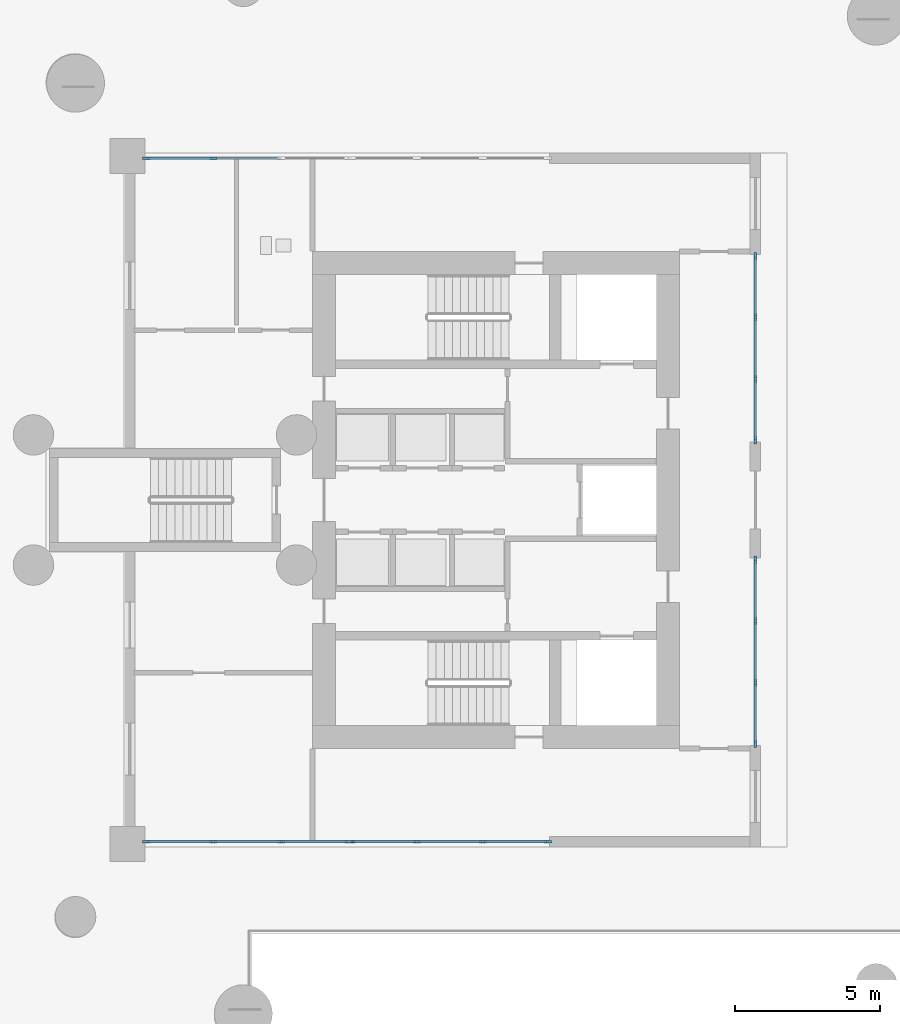
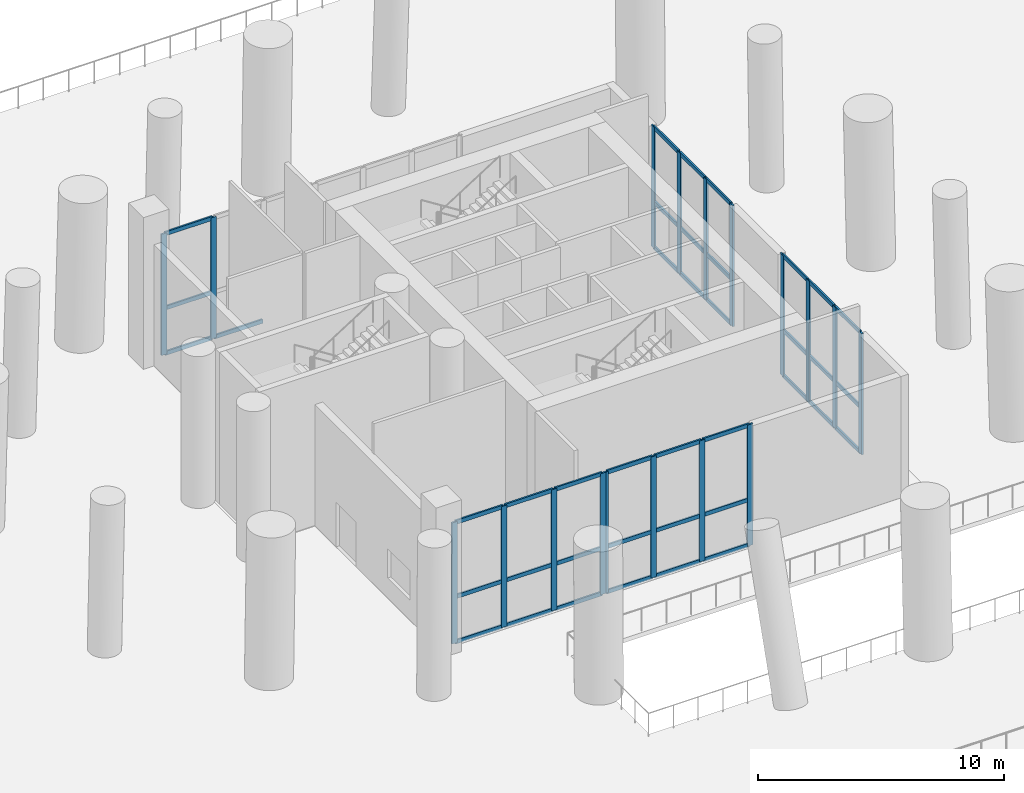
# One storey, part 3 of 16: 58 members, 5 elements without a shape of their own.
"""IFC4 building model written with IfcOpenShell, lengths in metres."""

from ifc_helpers import new_model, si_unit, direction, frame, origin, origin_2d, place, context, subcontext, project, spatial, rectangle, extrude, source, transform, mapped, material, layer, layer_set, material_profile, profile_set, type_object, element, aggregate, save


model = new_model("IFC4")

# Units and contexts
model_context = context("Model", 3, precision=1e-05, world=origin(), true_north=direction((0.0, 1.0)))
body_context = subcontext(model_context, "Body", "Model", "MODEL_VIEW")
ifc_project = project(units=[si_unit("LENGTHUNIT", "METRE"), si_unit("AREAUNIT", "SQUARE_METRE"), si_unit("VOLUMEUNIT", "CUBIC_METRE"), si_unit("PLANEANGLEUNIT", "RADIAN"), si_unit("MASSUNIT", "GRAM", prefix="KILO")], contexts=[model_context])

# Site, building, storey
site_placement = place(None, origin())
site = spatial("IfcSite", under=ifc_project, at=site_placement, CompositionType="ELEMENT")
building_placement = place(site_placement, origin())
building = spatial("IfcBuilding", under=site, at=building_placement, Name="Qafzar Sky-Pleat Residences", CompositionType="ELEMENT")
storey_placement = place(building_placement, origin())
storey = spatial("IfcBuildingStorey", under=building, at=storey_placement, Name="L00", CompositionType="ELEMENT", Elevation=0.0)

# Curtain wall, members
ifc_material_1 = material(Name="Anodised bronze aluminium framing", Category="aluminium")
ifc_layer = layer(ifc_material_1, 0.260009765625)
ifc_layer_set = layer_set([ifc_layer], Name="Anodised bronze aluminium framing")
curtain_wall_type = type_object("IfcCurtainWallType", Name="CW-SYS-01", PredefinedType="NOTDEFINED", material=ifc_layer_set)
curtain_wall_1_placement = place(storey_placement, origin())
curtain_wall_1 = element("IfcCurtainWall", 1, at=curtain_wall_1_placement, inside=storey, type_object=curtain_wall_type, Name="L00 CW-01 Curtain Wall CW-L00-01", PredefinedType="NOTDEFINED")
ifc_material_2 = material(Name="Anodised bronze aluminium", Category="aluminium")
ifc_material_profile_1 = material_profile(ifc_material_2, rectangle(XDim=0.080078125, YDim=0.260009765625, at=origin_2d()), Name="ALU MULLION 80x260")
ifc_profile_set_1 = profile_set([ifc_material_profile_1], Name="Anodised bronze aluminium")
member_type_1 = type_object("IfcMemberType", Name="CWM-01", PredefinedType="MULLION", material=ifc_profile_set_1)
shared_shape_1 = source(origin(), body_context, "Body", "SweptSolid", [
    extrude(rectangle(XDim=0.080078125, YDim=0.260009765625, at=origin_2d()), origin(), (0.0, 0.0, 1.0), 6.02001953125),
])
member_1_placement = place(storey_placement, frame((39.320068359375, 34.43994140625, 0.0), z_axis=(0.0, 0.0, 1.0), x_axis=(1.0, 0.0, 0.0)))
member_1 = element("IfcMember", 2, at=member_1_placement, type_object=member_type_1, Name="CW-01 mullion 1", PredefinedType="MULLION", context=body_context, shape_type="MappedRepresentation", body=[
    mapped(shared_shape_1, transform((0.0, 0.0, 0.0), x_axis=(1.0, 0.0, 0.0), y_axis=(0.0, 1.0, 0.0), z_axis=(0.0, 0.0, 1.0), scale=1.0)),
])
member_2_placement = place(storey_placement, frame((39.320068359375, 32.32666015625, 0.0), z_axis=(0.0, 0.0, 1.0), x_axis=(1.0, 0.0, 0.0)))
member_2 = element("IfcMember", 3, at=member_2_placement, type_object=member_type_1, Name="CW-01 mullion 2", PredefinedType="MULLION", context=body_context, shape_type="MappedRepresentation", body=[
    mapped(shared_shape_1, transform((0.0, 0.0, 0.0), x_axis=(1.0, 0.0, 0.0), y_axis=(0.0, 1.0, 0.0), z_axis=(0.0, 0.0, 1.0), scale=1.0)),
])
member_3_placement = place(storey_placement, frame((39.320068359375, 30.17333984375, 0.0), z_axis=(0.0, 0.0, 1.0), x_axis=(1.0, 0.0, 0.0)))
member_3 = element("IfcMember", 4, at=member_3_placement, type_object=member_type_1, Name="CW-01 mullion 3", PredefinedType="MULLION", context=body_context, shape_type="MappedRepresentation", body=[
    mapped(shared_shape_1, transform((0.0, 0.0, 0.0), x_axis=(1.0, 0.0, 0.0), y_axis=(0.0, 1.0, 0.0), z_axis=(0.0, 0.0, 1.0), scale=1.0)),
])
member_4_placement = place(storey_placement, frame((39.320068359375, 28.06005859375, 0.0), z_axis=(0.0, 0.0, 1.0), x_axis=(1.0, 0.0, 0.0)))
member_4 = element("IfcMember", 5, at=member_4_placement, type_object=member_type_1, Name="CW-01 mullion 4", PredefinedType="MULLION", context=body_context, shape_type="MappedRepresentation", body=[
    mapped(shared_shape_1, transform((0.0, 0.0, 0.0), x_axis=(1.0, 0.0, 0.0), y_axis=(0.0, 1.0, 0.0), z_axis=(0.0, 0.0, 1.0), scale=1.0)),
])

curtain_wall_2_placement = place(storey_placement, origin())
curtain_wall_2 = element("IfcCurtainWall", 6, at=curtain_wall_2_placement, inside=storey, type_object=curtain_wall_type, Name="L00 CW-01 Curtain Wall CW-L00-02", PredefinedType="NOTDEFINED")
member_5_placement = place(storey_placement, frame((39.320068359375, 23.93994140625, 0.0), z_axis=(0.0, 0.0, 1.0), x_axis=(1.0, 0.0, 0.0)))
member_5 = element("IfcMember", 7, at=member_5_placement, type_object=member_type_1, Name="CW-01 mullion 1", PredefinedType="MULLION", context=body_context, shape_type="MappedRepresentation", body=[
    mapped(shared_shape_1, transform((0.0, 0.0, 0.0), x_axis=(1.0, 0.0, 0.0), y_axis=(0.0, 1.0, 0.0), z_axis=(0.0, 0.0, 1.0), scale=1.0)),
])
member_6_placement = place(storey_placement, frame((39.320068359375, 21.82666015625, 0.0), z_axis=(0.0, 0.0, 1.0), x_axis=(1.0, 0.0, 0.0)))
member_6 = element("IfcMember", 8, at=member_6_placement, type_object=member_type_1, Name="CW-01 mullion 2", PredefinedType="MULLION", context=body_context, shape_type="MappedRepresentation", body=[
    mapped(shared_shape_1, transform((0.0, 0.0, 0.0), x_axis=(1.0, 0.0, 0.0), y_axis=(0.0, 1.0, 0.0), z_axis=(0.0, 0.0, 1.0), scale=1.0)),
])
member_7_placement = place(storey_placement, frame((39.320068359375, 19.67333984375, 0.0), z_axis=(0.0, 0.0, 1.0), x_axis=(1.0, 0.0, 0.0)))
member_7 = element("IfcMember", 9, at=member_7_placement, type_object=member_type_1, Name="CW-01 mullion 3", PredefinedType="MULLION", context=body_context, shape_type="MappedRepresentation", body=[
    mapped(shared_shape_1, transform((0.0, 0.0, 0.0), x_axis=(1.0, 0.0, 0.0), y_axis=(0.0, 1.0, 0.0), z_axis=(0.0, 0.0, 1.0), scale=1.0)),
])
member_8_placement = place(storey_placement, frame((39.320068359375, 17.56005859375, 0.0), z_axis=(0.0, 0.0, 1.0), x_axis=(1.0, 0.0, 0.0)))
member_8 = element("IfcMember", 10, at=member_8_placement, type_object=member_type_1, Name="CW-01 mullion 4", PredefinedType="MULLION", context=body_context, shape_type="MappedRepresentation", body=[
    mapped(shared_shape_1, transform((0.0, 0.0, 0.0), x_axis=(1.0, 0.0, 0.0), y_axis=(0.0, 1.0, 0.0), z_axis=(0.0, 0.0, 1.0), scale=1.0)),
])

curtain_wall_3_placement = place(storey_placement, origin())
curtain_wall_3 = element("IfcCurtainWall", 11, at=curtain_wall_3_placement, inside=storey, type_object=curtain_wall_type, Name="L00 CW-01 Curtain Wall CW-L00-03", PredefinedType="NOTDEFINED")
member_9_placement = place(storey_placement, frame((18.260009765625, 37.820068359375, 0.0), z_axis=(0.0, 0.0, 1.0), x_axis=(0.0, 1.0, 0.0)))
member_9 = element("IfcMember", 12, at=member_9_placement, type_object=member_type_1, Name="CW-01 mullion 1", PredefinedType="MULLION", context=body_context, shape_type="MappedRepresentation", body=[
    mapped(shared_shape_1, transform((0.0, 0.0, 0.0), x_axis=(1.0, 0.0, 0.0), y_axis=(0.0, 1.0, 0.0), z_axis=(0.0, 0.0, 1.0), scale=1.0)),
])
member_10_placement = place(storey_placement, frame((20.5732421875, 37.820068359375, 0.0), z_axis=(0.0, 0.0, 1.0), x_axis=(0.0, 1.0, 0.0)))
member_10 = element("IfcMember", 13, at=member_10_placement, type_object=member_type_1, Name="CW-01 mullion 2", PredefinedType="MULLION", context=body_context, shape_type="MappedRepresentation", body=[
    mapped(shared_shape_1, transform((0.0, 0.0, 0.0), x_axis=(1.0, 0.0, 0.0), y_axis=(0.0, 1.0, 0.0), z_axis=(0.0, 0.0, 1.0), scale=1.0)),
])

curtain_wall_4_placement = place(storey_placement, origin())
curtain_wall_4 = element("IfcCurtainWall", 14, at=curtain_wall_4_placement, inside=storey, type_object=curtain_wall_type, Name="L00 CW-01 Curtain Wall CW-L00-05", PredefinedType="NOTDEFINED")
member_11_placement = place(storey_placement, frame((25.239990234375, 14.179931640625, 0.0), z_axis=(0.0, 0.0, 1.0), x_axis=(0.0, -1.0, 0.0)))
member_11 = element("IfcMember", 15, at=member_11_placement, type_object=member_type_1, Name="CW-01 mullion 1", PredefinedType="MULLION", context=body_context, shape_type="MappedRepresentation", body=[
    mapped(shared_shape_1, transform((0.0, 0.0, 0.0), x_axis=(1.0, 0.0, 0.0), y_axis=(0.0, 1.0, 0.0), z_axis=(0.0, 0.0, 1.0), scale=1.0)),
])
member_12_placement = place(storey_placement, frame((22.9267578125, 14.179931640625, 0.0), z_axis=(0.0, 0.0, 1.0), x_axis=(0.0, -1.0, 0.0)))
member_12 = element("IfcMember", 16, at=member_12_placement, type_object=member_type_1, Name="CW-01 mullion 2", PredefinedType="MULLION", context=body_context, shape_type="MappedRepresentation", body=[
    mapped(shared_shape_1, transform((0.0, 0.0, 0.0), x_axis=(1.0, 0.0, 0.0), y_axis=(0.0, 1.0, 0.0), z_axis=(0.0, 0.0, 1.0), scale=1.0)),
])
member_13_placement = place(storey_placement, frame((20.5732421875, 14.179931640625, 0.0), z_axis=(0.0, 0.0, 1.0), x_axis=(0.0, -1.0, 0.0)))
member_13 = element("IfcMember", 17, at=member_13_placement, type_object=member_type_1, Name="CW-01 mullion 3", PredefinedType="MULLION", context=body_context, shape_type="MappedRepresentation", body=[
    mapped(shared_shape_1, transform((0.0, 0.0, 0.0), x_axis=(1.0, 0.0, 0.0), y_axis=(0.0, 1.0, 0.0), z_axis=(0.0, 0.0, 1.0), scale=1.0)),
])
member_14_placement = place(storey_placement, frame((18.260009765625, 14.179931640625, 0.0), z_axis=(0.0, 0.0, 1.0), x_axis=(0.0, -1.0, 0.0)))
member_14 = element("IfcMember", 18, at=member_14_placement, type_object=member_type_1, Name="CW-01 mullion 4", PredefinedType="MULLION", context=body_context, shape_type="MappedRepresentation", body=[
    mapped(shared_shape_1, transform((0.0, 0.0, 0.0), x_axis=(1.0, 0.0, 0.0), y_axis=(0.0, 1.0, 0.0), z_axis=(0.0, 0.0, 1.0), scale=1.0)),
])

curtain_wall_5_placement = place(storey_placement, origin())
curtain_wall_5 = element("IfcCurtainWall", 19, at=curtain_wall_5_placement, inside=storey, type_object=curtain_wall_type, Name="L00 CW-01 Curtain Wall CW-L00-06", PredefinedType="NOTDEFINED")
member_15_placement = place(storey_placement, frame((32.139892578125, 14.179931640625, 0.0), z_axis=(0.0, 0.0, 1.0), x_axis=(0.0, -1.0, 0.0)))
member_15 = element("IfcMember", 20, at=member_15_placement, type_object=member_type_1, Name="CW-01 mullion 1", PredefinedType="MULLION", context=body_context, shape_type="MappedRepresentation", body=[
    mapped(shared_shape_1, transform((0.0, 0.0, 0.0), x_axis=(1.0, 0.0, 0.0), y_axis=(0.0, 1.0, 0.0), z_axis=(0.0, 0.0, 1.0), scale=1.0)),
])
member_16_placement = place(storey_placement, frame((29.893310546875, 14.179931640625, 0.0), z_axis=(0.0, 0.0, 1.0), x_axis=(0.0, -1.0, 0.0)))
member_16 = element("IfcMember", 21, at=member_16_placement, type_object=member_type_1, Name="CW-01 mullion 2", PredefinedType="MULLION", context=body_context, shape_type="MappedRepresentation", body=[
    mapped(shared_shape_1, transform((0.0, 0.0, 0.0), x_axis=(1.0, 0.0, 0.0), y_axis=(0.0, 1.0, 0.0), z_axis=(0.0, 0.0, 1.0), scale=1.0)),
])
member_17_placement = place(storey_placement, frame((27.606689453125, 14.179931640625, 0.0), z_axis=(0.0, 0.0, 1.0), x_axis=(0.0, -1.0, 0.0)))
member_17 = element("IfcMember", 22, at=member_17_placement, type_object=member_type_1, Name="CW-01 mullion 3", PredefinedType="MULLION", context=body_context, shape_type="MappedRepresentation", body=[
    mapped(shared_shape_1, transform((0.0, 0.0, 0.0), x_axis=(1.0, 0.0, 0.0), y_axis=(0.0, 1.0, 0.0), z_axis=(0.0, 0.0, 1.0), scale=1.0)),
])
member_18_placement = place(storey_placement, frame((25.360107421875, 14.179931640625, 0.0), z_axis=(0.0, 0.0, 1.0), x_axis=(0.0, -1.0, 0.0)))
member_18 = element("IfcMember", 23, at=member_18_placement, type_object=member_type_1, Name="CW-01 mullion 4", PredefinedType="MULLION", context=body_context, shape_type="MappedRepresentation", body=[
    mapped(shared_shape_1, transform((0.0, 0.0, 0.0), x_axis=(1.0, 0.0, 0.0), y_axis=(0.0, 1.0, 0.0), z_axis=(0.0, 0.0, 1.0), scale=1.0)),
])

# Member
ifc_material_profile_2 = material_profile(ifc_material_2, rectangle(XDim=0.080078125, YDim=0.195068359375, at=origin_2d()), Name="ALU TRANSOM 80x195")
ifc_profile_set_2 = profile_set([ifc_material_profile_2], Name="Anodised bronze aluminium")
member_type_2 = type_object("IfcMemberType", Name="CWT-01", PredefinedType="USERDEFINED", material=ifc_profile_set_2)
shared_shape_2 = source(origin(), body_context, "Body", "SweptSolid", [
    extrude(rectangle(XDim=0.080078125, YDim=0.195068359375, at=origin_2d()), origin(), (0.0, 0.0, 1.0), 2.033203125),
])
member_19_placement = place(storey_placement, frame((39.320068359375, 34.39990234375, 0.0400390625), z_axis=(0.0, -1.0, 0.0), x_axis=(1.0, 0.0, 0.0)))
member_19 = element("IfcMember", 24, at=member_19_placement, type_object=member_type_2, Name="CW-01 transom 1.1", ObjectType="TRANSOM", PredefinedType="USERDEFINED", context=body_context, shape_type="MappedRepresentation", body=[
    mapped(shared_shape_2, transform((0.0, 0.0, 0.0), x_axis=(1.0, 0.0, 0.0), y_axis=(0.0, 1.0, 0.0), z_axis=(0.0, 0.0, 1.0), scale=1.0)),
])

member_20_placement = place(storey_placement, frame((39.320068359375, 34.39990234375, 2.28759765625), z_axis=(0.0, -1.0, 0.0), x_axis=(1.0, 0.0, 0.0)))
member_20 = element("IfcMember", 25, at=member_20_placement, type_object=member_type_2, Name="CW-01 transom 1.2", ObjectType="TRANSOM", PredefinedType="USERDEFINED", context=body_context, shape_type="MappedRepresentation", body=[
    mapped(shared_shape_2, transform((0.0, 0.0, 0.0), x_axis=(1.0, 0.0, 0.0), y_axis=(0.0, 1.0, 0.0), z_axis=(0.0, 0.0, 1.0), scale=1.0)),
])

member_21_placement = place(storey_placement, frame((39.320068359375, 34.39990234375, 5.97998046875), z_axis=(0.0, -1.0, 0.0), x_axis=(1.0, 0.0, 0.0)))
member_21 = element("IfcMember", 26, at=member_21_placement, type_object=member_type_2, Name="CW-01 transom 1.3", ObjectType="TRANSOM", PredefinedType="USERDEFINED", context=body_context, shape_type="MappedRepresentation", body=[
    mapped(shared_shape_2, transform((0.0, 0.0, 0.0), x_axis=(1.0, 0.0, 0.0), y_axis=(0.0, 1.0, 0.0), z_axis=(0.0, 0.0, 1.0), scale=1.0)),
])

member_22_placement = place(storey_placement, frame((39.320068359375, 30.13330078125, 0.0400390625), z_axis=(0.0, -1.0, 0.0), x_axis=(1.0, 0.0, 0.0)))
member_22 = element("IfcMember", 27, at=member_22_placement, type_object=member_type_2, Name="CW-01 transom 3.1", ObjectType="TRANSOM", PredefinedType="USERDEFINED", context=body_context, shape_type="MappedRepresentation", body=[
    mapped(shared_shape_2, transform((0.0, 0.0, 0.0), x_axis=(1.0, 0.0, 0.0), y_axis=(0.0, 1.0, 0.0), z_axis=(0.0, 0.0, 1.0), scale=1.0)),
])

member_23_placement = place(storey_placement, frame((39.320068359375, 30.13330078125, 2.28759765625), z_axis=(0.0, -1.0, 0.0), x_axis=(1.0, 0.0, 0.0)))
member_23 = element("IfcMember", 28, at=member_23_placement, type_object=member_type_2, Name="CW-01 transom 3.2", ObjectType="TRANSOM", PredefinedType="USERDEFINED", context=body_context, shape_type="MappedRepresentation", body=[
    mapped(shared_shape_2, transform((0.0, 0.0, 0.0), x_axis=(1.0, 0.0, 0.0), y_axis=(0.0, 1.0, 0.0), z_axis=(0.0, 0.0, 1.0), scale=1.0)),
])

member_24_placement = place(storey_placement, frame((39.320068359375, 30.13330078125, 5.97998046875), z_axis=(0.0, -1.0, 0.0), x_axis=(1.0, 0.0, 0.0)))
member_24 = element("IfcMember", 29, at=member_24_placement, type_object=member_type_2, Name="CW-01 transom 3.3", ObjectType="TRANSOM", PredefinedType="USERDEFINED", context=body_context, shape_type="MappedRepresentation", body=[
    mapped(shared_shape_2, transform((0.0, 0.0, 0.0), x_axis=(1.0, 0.0, 0.0), y_axis=(0.0, 1.0, 0.0), z_axis=(0.0, 0.0, 1.0), scale=1.0)),
])

member_25_placement = place(storey_placement, frame((39.320068359375, 23.89990234375, 0.0400390625), z_axis=(0.0, -1.0, 0.0), x_axis=(1.0, 0.0, 0.0)))
member_25 = element("IfcMember", 30, at=member_25_placement, type_object=member_type_2, Name="CW-01 transom 1.1", ObjectType="TRANSOM", PredefinedType="USERDEFINED", context=body_context, shape_type="MappedRepresentation", body=[
    mapped(shared_shape_2, transform((0.0, 0.0, 0.0), x_axis=(1.0, 0.0, 0.0), y_axis=(0.0, 1.0, 0.0), z_axis=(0.0, 0.0, 1.0), scale=1.0)),
])

member_26_placement = place(storey_placement, frame((39.320068359375, 23.89990234375, 2.28759765625), z_axis=(0.0, -1.0, 0.0), x_axis=(1.0, 0.0, 0.0)))
member_26 = element("IfcMember", 31, at=member_26_placement, type_object=member_type_2, Name="CW-01 transom 1.2", ObjectType="TRANSOM", PredefinedType="USERDEFINED", context=body_context, shape_type="MappedRepresentation", body=[
    mapped(shared_shape_2, transform((0.0, 0.0, 0.0), x_axis=(1.0, 0.0, 0.0), y_axis=(0.0, 1.0, 0.0), z_axis=(0.0, 0.0, 1.0), scale=1.0)),
])

member_27_placement = place(storey_placement, frame((39.320068359375, 23.89990234375, 5.97998046875), z_axis=(0.0, -1.0, 0.0), x_axis=(1.0, 0.0, 0.0)))
member_27 = element("IfcMember", 32, at=member_27_placement, type_object=member_type_2, Name="CW-01 transom 1.3", ObjectType="TRANSOM", PredefinedType="USERDEFINED", context=body_context, shape_type="MappedRepresentation", body=[
    mapped(shared_shape_2, transform((0.0, 0.0, 0.0), x_axis=(1.0, 0.0, 0.0), y_axis=(0.0, 1.0, 0.0), z_axis=(0.0, 0.0, 1.0), scale=1.0)),
])

member_28_placement = place(storey_placement, frame((39.320068359375, 19.63330078125, 0.0400390625), z_axis=(0.0, -1.0, 0.0), x_axis=(1.0, 0.0, 0.0)))
member_28 = element("IfcMember", 33, at=member_28_placement, type_object=member_type_2, Name="CW-01 transom 3.1", ObjectType="TRANSOM", PredefinedType="USERDEFINED", context=body_context, shape_type="MappedRepresentation", body=[
    mapped(shared_shape_2, transform((0.0, 0.0, 0.0), x_axis=(1.0, 0.0, 0.0), y_axis=(0.0, 1.0, 0.0), z_axis=(0.0, 0.0, 1.0), scale=1.0)),
])

member_29_placement = place(storey_placement, frame((39.320068359375, 19.63330078125, 2.28759765625), z_axis=(0.0, -1.0, 0.0), x_axis=(1.0, 0.0, 0.0)))
member_29 = element("IfcMember", 34, at=member_29_placement, type_object=member_type_2, Name="CW-01 transom 3.2", ObjectType="TRANSOM", PredefinedType="USERDEFINED", context=body_context, shape_type="MappedRepresentation", body=[
    mapped(shared_shape_2, transform((0.0, 0.0, 0.0), x_axis=(1.0, 0.0, 0.0), y_axis=(0.0, 1.0, 0.0), z_axis=(0.0, 0.0, 1.0), scale=1.0)),
])

member_30_placement = place(storey_placement, frame((39.320068359375, 19.63330078125, 5.97998046875), z_axis=(0.0, -1.0, 0.0), x_axis=(1.0, 0.0, 0.0)))
member_30 = element("IfcMember", 35, at=member_30_placement, type_object=member_type_2, Name="CW-01 transom 3.3", ObjectType="TRANSOM", PredefinedType="USERDEFINED", context=body_context, shape_type="MappedRepresentation", body=[
    mapped(shared_shape_2, transform((0.0, 0.0, 0.0), x_axis=(1.0, 0.0, 0.0), y_axis=(0.0, 1.0, 0.0), z_axis=(0.0, 0.0, 1.0), scale=1.0)),
])

shared_shape_3 = source(origin(), body_context, "Body", "SweptSolid", [
    extrude(rectangle(XDim=0.080078125, YDim=0.195068359375, at=origin_2d()), origin(), (0.0, 0.0, 1.0), 2.0732421875),
])
member_31_placement = place(storey_placement, frame((39.320068359375, 32.28662109375, 0.0400390625), z_axis=(0.0, -1.0, 0.0), x_axis=(1.0, 0.0, 0.0)))
member_31 = element("IfcMember", 36, at=member_31_placement, type_object=member_type_2, Name="CW-01 transom 2.1", ObjectType="TRANSOM", PredefinedType="USERDEFINED", context=body_context, shape_type="MappedRepresentation", body=[
    mapped(shared_shape_3, transform((0.0, 0.0, 0.0), x_axis=(1.0, 0.0, 0.0), y_axis=(0.0, 1.0, 0.0), z_axis=(0.0, 0.0, 1.0), scale=1.0)),
])

member_32_placement = place(storey_placement, frame((39.320068359375, 32.28662109375, 2.28759765625), z_axis=(0.0, -1.0, 0.0), x_axis=(1.0, 0.0, 0.0)))
member_32 = element("IfcMember", 37, at=member_32_placement, type_object=member_type_2, Name="CW-01 transom 2.2", ObjectType="TRANSOM", PredefinedType="USERDEFINED", context=body_context, shape_type="MappedRepresentation", body=[
    mapped(shared_shape_3, transform((0.0, 0.0, 0.0), x_axis=(1.0, 0.0, 0.0), y_axis=(0.0, 1.0, 0.0), z_axis=(0.0, 0.0, 1.0), scale=1.0)),
])

member_33_placement = place(storey_placement, frame((39.320068359375, 32.28662109375, 5.97998046875), z_axis=(0.0, -1.0, 0.0), x_axis=(1.0, 0.0, 0.0)))
member_33 = element("IfcMember", 38, at=member_33_placement, type_object=member_type_2, Name="CW-01 transom 2.3", ObjectType="TRANSOM", PredefinedType="USERDEFINED", context=body_context, shape_type="MappedRepresentation", body=[
    mapped(shared_shape_3, transform((0.0, 0.0, 0.0), x_axis=(1.0, 0.0, 0.0), y_axis=(0.0, 1.0, 0.0), z_axis=(0.0, 0.0, 1.0), scale=1.0)),
])

aggregate(curtain_wall_1, [member_1, member_2, member_3, member_4, member_19, member_20, member_21, member_31, member_32, member_33, member_22, member_23, member_24])

member_34_placement = place(storey_placement, frame((39.320068359375, 21.78662109375, 0.0400390625), z_axis=(0.0, -1.0, 0.0), x_axis=(1.0, 0.0, 0.0)))
member_34 = element("IfcMember", 39, at=member_34_placement, type_object=member_type_2, Name="CW-01 transom 2.1", ObjectType="TRANSOM", PredefinedType="USERDEFINED", context=body_context, shape_type="MappedRepresentation", body=[
    mapped(shared_shape_3, transform((0.0, 0.0, 0.0), x_axis=(1.0, 0.0, 0.0), y_axis=(0.0, 1.0, 0.0), z_axis=(0.0, 0.0, 1.0), scale=1.0)),
])

member_35_placement = place(storey_placement, frame((39.320068359375, 21.78662109375, 2.28759765625), z_axis=(0.0, -1.0, 0.0), x_axis=(1.0, 0.0, 0.0)))
member_35 = element("IfcMember", 40, at=member_35_placement, type_object=member_type_2, Name="CW-01 transom 2.2", ObjectType="TRANSOM", PredefinedType="USERDEFINED", context=body_context, shape_type="MappedRepresentation", body=[
    mapped(shared_shape_3, transform((0.0, 0.0, 0.0), x_axis=(1.0, 0.0, 0.0), y_axis=(0.0, 1.0, 0.0), z_axis=(0.0, 0.0, 1.0), scale=1.0)),
])

member_36_placement = place(storey_placement, frame((39.320068359375, 21.78662109375, 5.97998046875), z_axis=(0.0, -1.0, 0.0), x_axis=(1.0, 0.0, 0.0)))
member_36 = element("IfcMember", 41, at=member_36_placement, type_object=member_type_2, Name="CW-01 transom 2.3", ObjectType="TRANSOM", PredefinedType="USERDEFINED", context=body_context, shape_type="MappedRepresentation", body=[
    mapped(shared_shape_3, transform((0.0, 0.0, 0.0), x_axis=(1.0, 0.0, 0.0), y_axis=(0.0, 1.0, 0.0), z_axis=(0.0, 0.0, 1.0), scale=1.0)),
])

aggregate(curtain_wall_2, [member_5, member_6, member_7, member_8, member_25, member_26, member_27, member_34, member_35, member_36, member_28, member_29, member_30])

shared_shape_4 = source(origin(), body_context, "Body", "SweptSolid", [
    extrude(rectangle(XDim=0.080078125, YDim=0.195068359375, at=origin_2d()), origin(), (0.0, 0.0, 1.0), 2.2333984375),
])
member_37_placement = place(storey_placement, frame((18.300048828125, 37.820068359375, 0.0400390625), z_axis=(1.0, 0.0, 0.0), x_axis=(0.0, 1.0, 0.0)))
member_37 = element("IfcMember", 42, at=member_37_placement, type_object=member_type_2, Name="CW-01 transom 1.1", ObjectType="TRANSOM", PredefinedType="USERDEFINED", context=body_context, shape_type="MappedRepresentation", body=[
    mapped(shared_shape_4, transform((0.0, 0.0, 0.0), x_axis=(1.0, 0.0, 0.0), y_axis=(0.0, 1.0, 0.0), z_axis=(0.0, 0.0, 1.0), scale=1.0)),
])

member_38_placement = place(storey_placement, frame((18.300048828125, 37.820068359375, 2.28759765625), z_axis=(1.0, 0.0, 0.0), x_axis=(0.0, 1.0, 0.0)))
member_38 = element("IfcMember", 43, at=member_38_placement, type_object=member_type_2, Name="CW-01 transom 1.2", ObjectType="TRANSOM", PredefinedType="USERDEFINED", context=body_context, shape_type="MappedRepresentation", body=[
    mapped(shared_shape_4, transform((0.0, 0.0, 0.0), x_axis=(1.0, 0.0, 0.0), y_axis=(0.0, 1.0, 0.0), z_axis=(0.0, 0.0, 1.0), scale=1.0)),
])

member_39_placement = place(storey_placement, frame((18.300048828125, 37.820068359375, 5.97998046875), z_axis=(1.0, 0.0, 0.0), x_axis=(0.0, 1.0, 0.0)))
member_39 = element("IfcMember", 44, at=member_39_placement, type_object=member_type_2, Name="CW-01 transom 1.3", ObjectType="TRANSOM", PredefinedType="USERDEFINED", context=body_context, shape_type="MappedRepresentation", body=[
    mapped(shared_shape_4, transform((0.0, 0.0, 0.0), x_axis=(1.0, 0.0, 0.0), y_axis=(0.0, 1.0, 0.0), z_axis=(0.0, 0.0, 1.0), scale=1.0)),
])

member_40_placement = place(storey_placement, frame((25.199951171875, 14.179931640625, 0.0400390625), z_axis=(-1.0, 0.0, 0.0), x_axis=(0.0, -1.0, 0.0)))
member_40 = element("IfcMember", 45, at=member_40_placement, type_object=member_type_2, Name="CW-01 transom 1.1", ObjectType="TRANSOM", PredefinedType="USERDEFINED", context=body_context, shape_type="MappedRepresentation", body=[
    mapped(shared_shape_4, transform((0.0, 0.0, 0.0), x_axis=(1.0, 0.0, 0.0), y_axis=(0.0, 1.0, 0.0), z_axis=(0.0, 0.0, 1.0), scale=1.0)),
])

member_41_placement = place(storey_placement, frame((25.199951171875, 14.179931640625, 2.28759765625), z_axis=(-1.0, 0.0, 0.0), x_axis=(0.0, -1.0, 0.0)))
member_41 = element("IfcMember", 46, at=member_41_placement, type_object=member_type_2, Name="CW-01 transom 1.2", ObjectType="TRANSOM", PredefinedType="USERDEFINED", context=body_context, shape_type="MappedRepresentation", body=[
    mapped(shared_shape_4, transform((0.0, 0.0, 0.0), x_axis=(1.0, 0.0, 0.0), y_axis=(0.0, 1.0, 0.0), z_axis=(0.0, 0.0, 1.0), scale=1.0)),
])

member_42_placement = place(storey_placement, frame((25.199951171875, 14.179931640625, 5.97998046875), z_axis=(-1.0, 0.0, 0.0), x_axis=(0.0, -1.0, 0.0)))
member_42 = element("IfcMember", 47, at=member_42_placement, type_object=member_type_2, Name="CW-01 transom 1.3", ObjectType="TRANSOM", PredefinedType="USERDEFINED", context=body_context, shape_type="MappedRepresentation", body=[
    mapped(shared_shape_4, transform((0.0, 0.0, 0.0), x_axis=(1.0, 0.0, 0.0), y_axis=(0.0, 1.0, 0.0), z_axis=(0.0, 0.0, 1.0), scale=1.0)),
])

member_43_placement = place(storey_placement, frame((20.533447265625, 14.179931640625, 0.0400390625), z_axis=(-1.0, 0.0, 0.0), x_axis=(0.0, -1.0, 0.0)))
member_43 = element("IfcMember", 48, at=member_43_placement, type_object=member_type_2, Name="CW-01 transom 3.1", ObjectType="TRANSOM", PredefinedType="USERDEFINED", context=body_context, shape_type="MappedRepresentation", body=[
    mapped(shared_shape_4, transform((0.0, 0.0, 0.0), x_axis=(1.0, 0.0, 0.0), y_axis=(0.0, 1.0, 0.0), z_axis=(0.0, 0.0, 1.0), scale=1.0)),
])

member_44_placement = place(storey_placement, frame((20.533447265625, 14.179931640625, 2.28759765625), z_axis=(-1.0, 0.0, 0.0), x_axis=(0.0, -1.0, 0.0)))
member_44 = element("IfcMember", 49, at=member_44_placement, type_object=member_type_2, Name="CW-01 transom 3.2", ObjectType="TRANSOM", PredefinedType="USERDEFINED", context=body_context, shape_type="MappedRepresentation", body=[
    mapped(shared_shape_4, transform((0.0, 0.0, 0.0), x_axis=(1.0, 0.0, 0.0), y_axis=(0.0, 1.0, 0.0), z_axis=(0.0, 0.0, 1.0), scale=1.0)),
])

member_45_placement = place(storey_placement, frame((20.533447265625, 14.179931640625, 5.97998046875), z_axis=(-1.0, 0.0, 0.0), x_axis=(0.0, -1.0, 0.0)))
member_45 = element("IfcMember", 50, at=member_45_placement, type_object=member_type_2, Name="CW-01 transom 3.3", ObjectType="TRANSOM", PredefinedType="USERDEFINED", context=body_context, shape_type="MappedRepresentation", body=[
    mapped(shared_shape_4, transform((0.0, 0.0, 0.0), x_axis=(1.0, 0.0, 0.0), y_axis=(0.0, 1.0, 0.0), z_axis=(0.0, 0.0, 1.0), scale=1.0)),
])

shared_shape_5 = source(origin(), body_context, "Body", "SweptSolid", [
    extrude(rectangle(XDim=0.080078125, YDim=0.195068359375, at=origin_2d()), origin(), (0.0, 0.0, 1.0), 2.2734375),
])
member_46_placement = place(storey_placement, frame((20.61328125, 37.820068359375, 0.0400390625), z_axis=(1.0, 0.0, 0.0), x_axis=(0.0, 1.0, 0.0)))
member_46 = element("IfcMember", 51, at=member_46_placement, type_object=member_type_2, Name="CW-01 transom 2.1", ObjectType="TRANSOM", PredefinedType="USERDEFINED", context=body_context, shape_type="MappedRepresentation", body=[
    mapped(shared_shape_5, transform((0.0, 0.0, 0.0), x_axis=(1.0, 0.0, 0.0), y_axis=(0.0, 1.0, 0.0), z_axis=(0.0, 0.0, 1.0), scale=1.0)),
])

aggregate(curtain_wall_3, [member_9, member_10, member_37, member_38, member_39, member_46])

member_47_placement = place(storey_placement, frame((22.88671875, 14.179931640625, 0.0400390625), z_axis=(-1.0, 0.0, 0.0), x_axis=(0.0, -1.0, 0.0)))
member_47 = element("IfcMember", 52, at=member_47_placement, type_object=member_type_2, Name="CW-01 transom 2.1", ObjectType="TRANSOM", PredefinedType="USERDEFINED", context=body_context, shape_type="MappedRepresentation", body=[
    mapped(shared_shape_5, transform((0.0, 0.0, 0.0), x_axis=(1.0, 0.0, 0.0), y_axis=(0.0, 1.0, 0.0), z_axis=(0.0, 0.0, 1.0), scale=1.0)),
])

member_48_placement = place(storey_placement, frame((22.88671875, 14.179931640625, 2.28759765625), z_axis=(-1.0, 0.0, 0.0), x_axis=(0.0, -1.0, 0.0)))
member_48 = element("IfcMember", 53, at=member_48_placement, type_object=member_type_2, Name="CW-01 transom 2.2", ObjectType="TRANSOM", PredefinedType="USERDEFINED", context=body_context, shape_type="MappedRepresentation", body=[
    mapped(shared_shape_5, transform((0.0, 0.0, 0.0), x_axis=(1.0, 0.0, 0.0), y_axis=(0.0, 1.0, 0.0), z_axis=(0.0, 0.0, 1.0), scale=1.0)),
])

member_49_placement = place(storey_placement, frame((22.88671875, 14.179931640625, 5.97998046875), z_axis=(-1.0, 0.0, 0.0), x_axis=(0.0, -1.0, 0.0)))
member_49 = element("IfcMember", 54, at=member_49_placement, type_object=member_type_2, Name="CW-01 transom 2.3", ObjectType="TRANSOM", PredefinedType="USERDEFINED", context=body_context, shape_type="MappedRepresentation", body=[
    mapped(shared_shape_5, transform((0.0, 0.0, 0.0), x_axis=(1.0, 0.0, 0.0), y_axis=(0.0, 1.0, 0.0), z_axis=(0.0, 0.0, 1.0), scale=1.0)),
])

aggregate(curtain_wall_4, [member_11, member_12, member_13, member_14, member_40, member_41, member_42, member_47, member_48, member_49, member_43, member_44, member_45])

shared_shape_6 = source(origin(), body_context, "Body", "SweptSolid", [
    extrude(rectangle(XDim=0.080078125, YDim=0.195068359375, at=origin_2d()), origin(), (0.0, 0.0, 1.0), 2.166748046875),
])
member_50_placement = place(storey_placement, frame((32.10009765625, 14.179931640625, 0.0400390625), z_axis=(-1.0, 0.0, 0.0), x_axis=(0.0, -1.0, 0.0)))
member_50 = element("IfcMember", 55, at=member_50_placement, type_object=member_type_2, Name="CW-01 transom 1.1", ObjectType="TRANSOM", PredefinedType="USERDEFINED", context=body_context, shape_type="MappedRepresentation", body=[
    mapped(shared_shape_6, transform((0.0, 0.0, 0.0), x_axis=(1.0, 0.0, 0.0), y_axis=(0.0, 1.0, 0.0), z_axis=(0.0, 0.0, 1.0), scale=1.0)),
])

member_51_placement = place(storey_placement, frame((32.10009765625, 14.179931640625, 2.28759765625), z_axis=(-1.0, 0.0, 0.0), x_axis=(0.0, -1.0, 0.0)))
member_51 = element("IfcMember", 56, at=member_51_placement, type_object=member_type_2, Name="CW-01 transom 1.2", ObjectType="TRANSOM", PredefinedType="USERDEFINED", context=body_context, shape_type="MappedRepresentation", body=[
    mapped(shared_shape_6, transform((0.0, 0.0, 0.0), x_axis=(1.0, 0.0, 0.0), y_axis=(0.0, 1.0, 0.0), z_axis=(0.0, 0.0, 1.0), scale=1.0)),
])

member_52_placement = place(storey_placement, frame((32.10009765625, 14.179931640625, 5.97998046875), z_axis=(-1.0, 0.0, 0.0), x_axis=(0.0, -1.0, 0.0)))
member_52 = element("IfcMember", 57, at=member_52_placement, type_object=member_type_2, Name="CW-01 transom 1.3", ObjectType="TRANSOM", PredefinedType="USERDEFINED", context=body_context, shape_type="MappedRepresentation", body=[
    mapped(shared_shape_6, transform((0.0, 0.0, 0.0), x_axis=(1.0, 0.0, 0.0), y_axis=(0.0, 1.0, 0.0), z_axis=(0.0, 0.0, 1.0), scale=1.0)),
])

member_53_placement = place(storey_placement, frame((27.566650390625, 14.179931640625, 0.0400390625), z_axis=(-1.0, 0.0, 0.0), x_axis=(0.0, -1.0, 0.0)))
member_53 = element("IfcMember", 58, at=member_53_placement, type_object=member_type_2, Name="CW-01 transom 3.1", ObjectType="TRANSOM", PredefinedType="USERDEFINED", context=body_context, shape_type="MappedRepresentation", body=[
    mapped(shared_shape_6, transform((0.0, 0.0, 0.0), x_axis=(1.0, 0.0, 0.0), y_axis=(0.0, 1.0, 0.0), z_axis=(0.0, 0.0, 1.0), scale=1.0)),
])

member_54_placement = place(storey_placement, frame((27.566650390625, 14.179931640625, 2.28759765625), z_axis=(-1.0, 0.0, 0.0), x_axis=(0.0, -1.0, 0.0)))
member_54 = element("IfcMember", 59, at=member_54_placement, type_object=member_type_2, Name="CW-01 transom 3.2", ObjectType="TRANSOM", PredefinedType="USERDEFINED", context=body_context, shape_type="MappedRepresentation", body=[
    mapped(shared_shape_6, transform((0.0, 0.0, 0.0), x_axis=(1.0, 0.0, 0.0), y_axis=(0.0, 1.0, 0.0), z_axis=(0.0, 0.0, 1.0), scale=1.0)),
])

member_55_placement = place(storey_placement, frame((27.566650390625, 14.179931640625, 5.97998046875), z_axis=(-1.0, 0.0, 0.0), x_axis=(0.0, -1.0, 0.0)))
member_55 = element("IfcMember", 60, at=member_55_placement, type_object=member_type_2, Name="CW-01 transom 3.3", ObjectType="TRANSOM", PredefinedType="USERDEFINED", context=body_context, shape_type="MappedRepresentation", body=[
    mapped(shared_shape_6, transform((0.0, 0.0, 0.0), x_axis=(1.0, 0.0, 0.0), y_axis=(0.0, 1.0, 0.0), z_axis=(0.0, 0.0, 1.0), scale=1.0)),
])

shared_shape_7 = source(origin(), body_context, "Body", "SweptSolid", [
    extrude(rectangle(XDim=0.080078125, YDim=0.195068359375, at=origin_2d()), origin(), (0.0, 0.0, 1.0), 2.20654296875),
])
member_56_placement = place(storey_placement, frame((29.853271484375, 14.179931640625, 0.0400390625), z_axis=(-1.0, 0.0, 0.0), x_axis=(0.0, -1.0, 0.0)))
member_56 = element("IfcMember", 61, at=member_56_placement, type_object=member_type_2, Name="CW-01 transom 2.1", ObjectType="TRANSOM", PredefinedType="USERDEFINED", context=body_context, shape_type="MappedRepresentation", body=[
    mapped(shared_shape_7, transform((0.0, 0.0, 0.0), x_axis=(1.0, 0.0, 0.0), y_axis=(0.0, 1.0, 0.0), z_axis=(0.0, 0.0, 1.0), scale=1.0)),
])

member_57_placement = place(storey_placement, frame((29.853271484375, 14.179931640625, 2.28759765625), z_axis=(-1.0, 0.0, 0.0), x_axis=(0.0, -1.0, 0.0)))
member_57 = element("IfcMember", 62, at=member_57_placement, type_object=member_type_2, Name="CW-01 transom 2.2", ObjectType="TRANSOM", PredefinedType="USERDEFINED", context=body_context, shape_type="MappedRepresentation", body=[
    mapped(shared_shape_7, transform((0.0, 0.0, 0.0), x_axis=(1.0, 0.0, 0.0), y_axis=(0.0, 1.0, 0.0), z_axis=(0.0, 0.0, 1.0), scale=1.0)),
])

member_58_placement = place(storey_placement, frame((29.853271484375, 14.179931640625, 5.97998046875), z_axis=(-1.0, 0.0, 0.0), x_axis=(0.0, -1.0, 0.0)))
member_58 = element("IfcMember", 63, at=member_58_placement, type_object=member_type_2, Name="CW-01 transom 2.3", ObjectType="TRANSOM", PredefinedType="USERDEFINED", context=body_context, shape_type="MappedRepresentation", body=[
    mapped(shared_shape_7, transform((0.0, 0.0, 0.0), x_axis=(1.0, 0.0, 0.0), y_axis=(0.0, 1.0, 0.0), z_axis=(0.0, 0.0, 1.0), scale=1.0)),
])

aggregate(curtain_wall_5, [member_15, member_16, member_17, member_18, member_50, member_51, member_52, member_56, member_57, member_58, member_53, member_54, member_55])

save(model, "model.ifc")
